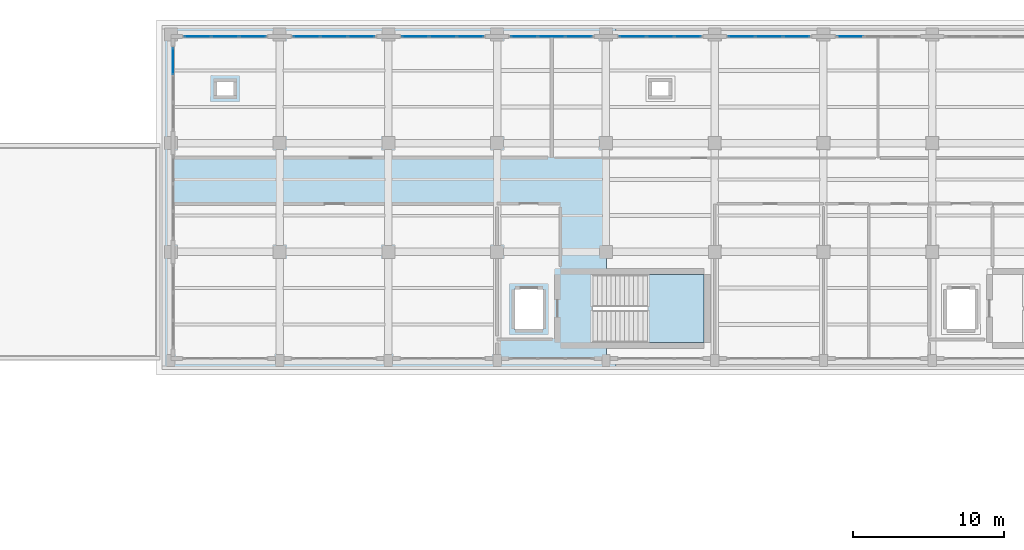
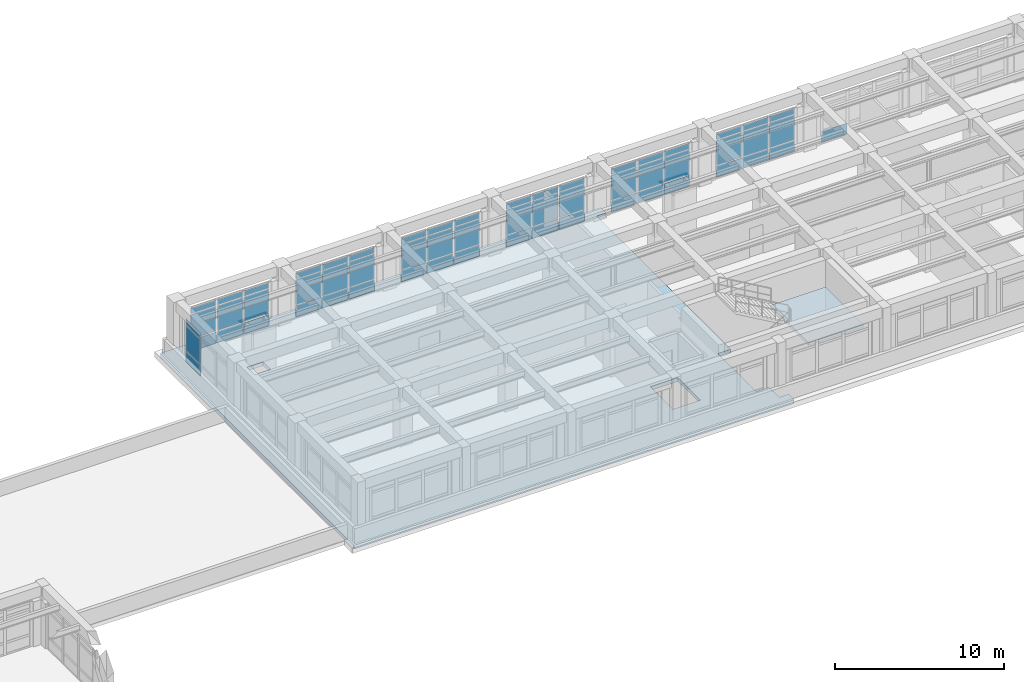
# One storey, part 43 of 69: 58 plates, 2 slabs, 9 elements without a shape of their own.
"""IFC4 building model written with IfcOpenShell, lengths in metres."""

from ifc_helpers import new_model, si_unit, direction, frame, origin, origin_2d, place, context, subcontext, project, spatial, polyline, rectangle, outline, extrude, material, layer, layer_set, type_object, element, aggregate, save


model = new_model("IFC4")

# Units and contexts
model_context = context("Model", 3, precision=1e-05, world=origin(), true_north=direction((0.0, 1.0)))
body_context = subcontext(model_context, "Body", "Model", "MODEL_VIEW")
ifc_project = project(units=[si_unit("LENGTHUNIT", "METRE"), si_unit("AREAUNIT", "SQUARE_METRE"), si_unit("VOLUMEUNIT", "CUBIC_METRE"), si_unit("PLANEANGLEUNIT", "RADIAN"), si_unit("MASSUNIT", "GRAM", prefix="KILO")], contexts=[model_context])

# Site, building, storey
site_placement = place(None, origin())
site = spatial("IfcSite", under=ifc_project, at=site_placement, CompositionType="ELEMENT")
building_placement = place(site_placement, origin())
building = spatial("IfcBuilding", under=site, at=building_placement, Name="Solenvale Faculty of Natural Sciences", CompositionType="ELEMENT")
storey_placement = place(building_placement, frame((0.0, 0.0, 4.5)))
storey = spatial("IfcBuildingStorey", under=building, at=storey_placement, Name="L01", CompositionType="ELEMENT", Elevation=4.5)

# Curtain wall, plates
ifc_material_1 = material(Name="Anodised bronze aluminium", Category="aluminium")
ifc_layer_1 = layer(ifc_material_1, 0.179931640625)
ifc_layer_set_1 = layer_set([ifc_layer_1], Name="Anodised bronze aluminium")
curtain_wall_type = type_object("IfcCurtainWallType", Name="CW-TWR-MOD", PredefinedType="USERDEFINED", material=ifc_layer_set_1)
curtain_wall_1_placement = place(storey_placement, origin())
curtain_wall_1 = element("IfcCurtainWall", 1, at=curtain_wall_1_placement, inside=storey, type_object=curtain_wall_type, Name="L01 Curtain Wall CW-L01-P2-E4-B10", ObjectType="UNITISED CURTAIN WALL", PredefinedType="USERDEFINED")
ifc_material_2 = material(Name="North-light skylight glass", Category="glass")
ifc_layer_2 = layer(ifc_material_2, 0.028076171875)
ifc_layer_set_2 = layer_set([ifc_layer_2], Name="North-light skylight glass")
plate_type_1 = type_object("IfcPlateType", Name="CWP-PNL-28", PredefinedType="CURTAIN_PANEL", material=ifc_layer_set_2)
plate_1_placement = place(storey_placement, frame((84.614501953125, 115.0576171875, 0.074951171875), z_axis=(0.0, 0.0, 1.0), x_axis=(-1.0, 0.0, 0.0)))
plate_1 = element("IfcPlate", 2, at=plate_1_placement, type_object=plate_type_1, Name="CW-04 panel 1.1", PredefinedType="CURTAIN_PANEL", context=body_context, shape_type="SweptSolid", body=[
    extrude(rectangle(XDim=1.720947265625, YDim=0.028076171875, at=origin_2d()), origin(), (0.0, 0.0, 1.0), 0.78759765625),
])
plate_2_placement = place(storey_placement, frame((84.614501953125, 115.0576171875, 0.9375), z_axis=(0.0, 0.0, 1.0), x_axis=(-1.0, 0.0, 0.0)))
plate_2 = element("IfcPlate", 3, at=plate_2_placement, type_object=plate_type_1, Name="CW-04 panel 1.2", PredefinedType="CURTAIN_PANEL", context=body_context, shape_type="SweptSolid", body=[
    extrude(rectangle(XDim=1.720947265625, YDim=0.028076171875, at=origin_2d()), origin(), (0.0, 0.0, 1.0), 1.784912109375),
])
plate_3_placement = place(storey_placement, frame((84.614501953125, 115.0576171875, 2.79736328125), z_axis=(0.0, 0.0, 1.0), x_axis=(-1.0, 0.0, 0.0)))
plate_3 = element("IfcPlate", 4, at=plate_3_placement, type_object=plate_type_1, Name="CW-04 panel 1.3", PredefinedType="CURTAIN_PANEL", context=body_context, shape_type="SweptSolid", body=[
    extrude(rectangle(XDim=1.720947265625, YDim=0.028076171875, at=origin_2d()), origin(), (0.0, 0.0, 1.0), 0.387451171875),
])
plate_4_placement = place(storey_placement, frame((82.800048828125, 115.0576171875, 0.074951171875), z_axis=(0.0, 0.0, 1.0), x_axis=(-1.0, 0.0, 0.0)))
plate_4 = element("IfcPlate", 5, at=plate_4_placement, type_object=plate_type_1, Name="CW-04 panel 2.1", PredefinedType="CURTAIN_PANEL", context=body_context, shape_type="SweptSolid", body=[
    extrude(rectangle(XDim=1.75830078125, YDim=0.028076171875, at=origin_2d()), origin(), (0.0, 0.0, 1.0), 0.78759765625),
])
plate_5_placement = place(storey_placement, frame((82.800048828125, 115.0576171875, 0.9375), z_axis=(0.0, 0.0, 1.0), x_axis=(-1.0, 0.0, 0.0)))
plate_5 = element("IfcPlate", 6, at=plate_5_placement, type_object=plate_type_1, Name="CW-04 panel 2.2", PredefinedType="CURTAIN_PANEL", context=body_context, shape_type="SweptSolid", body=[
    extrude(rectangle(XDim=1.75830078125, YDim=0.028076171875, at=origin_2d()), origin(), (0.0, 0.0, 1.0), 1.784912109375),
])
plate_6_placement = place(storey_placement, frame((82.800048828125, 115.0576171875, 2.79736328125), z_axis=(0.0, 0.0, 1.0), x_axis=(-1.0, 0.0, 0.0)))
plate_6 = element("IfcPlate", 7, at=plate_6_placement, type_object=plate_type_1, Name="CW-04 panel 2.3", PredefinedType="CURTAIN_PANEL", context=body_context, shape_type="SweptSolid", body=[
    extrude(rectangle(XDim=1.75830078125, YDim=0.028076171875, at=origin_2d()), origin(), (0.0, 0.0, 1.0), 0.387451171875),
])
plate_7_placement = place(storey_placement, frame((80.9853515625, 115.0576171875, 0.074951171875), z_axis=(0.0, 0.0, 1.0), x_axis=(-1.0, 0.0, 0.0)))
plate_7 = element("IfcPlate", 8, at=plate_7_placement, type_object=plate_type_1, Name="CW-04 panel 3.1", PredefinedType="CURTAIN_PANEL", context=body_context, shape_type="SweptSolid", body=[
    extrude(rectangle(XDim=1.720947265625, YDim=0.028076171875, at=origin_2d()), origin(), (0.0, 0.0, 1.0), 0.78759765625),
])
plate_8_placement = place(storey_placement, frame((80.9853515625, 115.0576171875, 0.9375), z_axis=(0.0, 0.0, 1.0), x_axis=(-1.0, 0.0, 0.0)))
plate_8 = element("IfcPlate", 9, at=plate_8_placement, type_object=plate_type_1, Name="CW-04 panel 3.2", PredefinedType="CURTAIN_PANEL", context=body_context, shape_type="SweptSolid", body=[
    extrude(rectangle(XDim=1.720947265625, YDim=0.028076171875, at=origin_2d()), origin(), (0.0, 0.0, 1.0), 1.784912109375),
])
plate_9_placement = place(storey_placement, frame((80.9853515625, 115.0576171875, 2.79736328125), z_axis=(0.0, 0.0, 1.0), x_axis=(-1.0, 0.0, 0.0)))
plate_9 = element("IfcPlate", 10, at=plate_9_placement, type_object=plate_type_1, Name="CW-04 panel 3.3", PredefinedType="CURTAIN_PANEL", context=body_context, shape_type="SweptSolid", body=[
    extrude(rectangle(XDim=1.720947265625, YDim=0.028076171875, at=origin_2d()), origin(), (0.0, 0.0, 1.0), 0.387451171875),
])
aggregate(curtain_wall_1, [plate_1, plate_2, plate_3, plate_4, plate_5, plate_6, plate_7, plate_8, plate_9])

curtain_wall_2_placement = place(storey_placement, origin())
curtain_wall_2 = element("IfcCurtainWall", 11, at=curtain_wall_2_placement, inside=storey, type_object=curtain_wall_type, Name="L01 Curtain Wall CW-L01-P2-E5-B1", ObjectType="UNITISED CURTAIN WALL", PredefinedType="USERDEFINED")
plate_10_placement = place(storey_placement, frame((79.342529296875, 113.41455078125, 0.074951171875), z_axis=(0.0, 0.0, 1.0), x_axis=(0.0, -1.0, 0.0)))
plate_10 = element("IfcPlate", 12, at=plate_10_placement, type_object=plate_type_1, Name="CW-04 panel 1.1", PredefinedType="CURTAIN_PANEL", context=body_context, shape_type="SweptSolid", body=[
    extrude(rectangle(XDim=1.720947265625, YDim=0.028076171875, at=origin_2d()), origin(), (0.0, 0.0, 1.0), 0.78759765625),
])
plate_11_placement = place(storey_placement, frame((79.342529296875, 113.41455078125, 0.9375), z_axis=(0.0, 0.0, 1.0), x_axis=(0.0, -1.0, 0.0)))
plate_11 = element("IfcPlate", 13, at=plate_11_placement, type_object=plate_type_1, Name="CW-04 panel 1.2", PredefinedType="CURTAIN_PANEL", context=body_context, shape_type="SweptSolid", body=[
    extrude(rectangle(XDim=1.720947265625, YDim=0.028076171875, at=origin_2d()), origin(), (0.0, 0.0, 1.0), 1.784912109375),
])
plate_12_placement = place(storey_placement, frame((79.342529296875, 113.41455078125, 2.79736328125), z_axis=(0.0, 0.0, 1.0), x_axis=(0.0, -1.0, 0.0)))
plate_12 = element("IfcPlate", 14, at=plate_12_placement, type_object=plate_type_1, Name="CW-04 panel 1.3", PredefinedType="CURTAIN_PANEL", context=body_context, shape_type="SweptSolid", body=[
    extrude(rectangle(XDim=1.720947265625, YDim=0.028076171875, at=origin_2d()), origin(), (0.0, 0.0, 1.0), 0.387451171875),
])
aggregate(curtain_wall_2, [plate_10, plate_11, plate_12])

# Curtain wall, plate
curtain_wall_3_placement = place(storey_placement, origin())
curtain_wall_3 = element("IfcCurtainWall", 15, at=curtain_wall_3_placement, inside=storey, type_object=curtain_wall_type, Name="L01 Curtain Wall CW-L01-P2-E4-B4", ObjectType="UNITISED CURTAIN WALL", PredefinedType="USERDEFINED")
ifc_material_3 = material(Name="Triple low-E insulated glass", Category="glass")
ifc_layer_3 = layer(ifc_material_3, 0.035888671875)
ifc_layer_set_3 = layer_set([ifc_layer_3], Name="Triple low-E insulated glass")
plate_type_2 = type_object("IfcPlateType", Name="CWP-PNL-36", PredefinedType="CURTAIN_PANEL", material=ifc_layer_set_3)
plate_13_placement = place(storey_placement, frame((124.185302734375, 115.0576171875, 0.074951171875), z_axis=(0.0, 0.0, 1.0), x_axis=(-1.0, 0.0, 0.0)))
plate_13 = element("IfcPlate", 16, at=plate_13_placement, type_object=plate_type_2, Name="CW-04 panel 3.1", PredefinedType="CURTAIN_PANEL", context=body_context, shape_type="SweptSolid", body=[
    extrude(rectangle(XDim=1.720947265625, YDim=0.035888671875, at=origin_2d()), origin(), (0.0, 0.0, 1.0), 0.78759765625),
])
aggregate(curtain_wall_3, [plate_13])

# Curtain wall, plates
curtain_wall_4_placement = place(storey_placement, origin())
curtain_wall_4 = element("IfcCurtainWall", 17, at=curtain_wall_4_placement, inside=storey, type_object=curtain_wall_type, Name="L01 Curtain Wall CW-L01-P2-E4-B5", ObjectType="UNITISED CURTAIN WALL", PredefinedType="USERDEFINED")
ifc_layer_4 = layer(ifc_material_3, 0.0400390625)
ifc_layer_set_4 = layer_set([ifc_layer_4], Name="Triple low-E insulated glass")
plate_type_3 = type_object("IfcPlateType", Name="CWP-PNL-40", PredefinedType="CURTAIN_PANEL", material=ifc_layer_set_4)
plate_14_placement = place(storey_placement, frame((120.614501953125, 115.0576171875, 0.074951171875), z_axis=(0.0, 0.0, 1.0), x_axis=(-1.0, 0.0, 0.0)))
plate_14 = element("IfcPlate", 18, at=plate_14_placement, type_object=plate_type_3, Name="CW-04 panel 1.1", PredefinedType="CURTAIN_PANEL", context=body_context, shape_type="SweptSolid", body=[
    extrude(rectangle(XDim=1.720947265625, YDim=0.0400390625, at=origin_2d()), origin(), (0.0, 0.0, 1.0), 0.78759765625),
])
plate_15_placement = place(storey_placement, frame((120.614501953125, 115.0576171875, 0.9375), z_axis=(0.0, 0.0, 1.0), x_axis=(-1.0, 0.0, 0.0)))
plate_15 = element("IfcPlate", 19, at=plate_15_placement, type_object=plate_type_3, Name="CW-04 panel 1.2", PredefinedType="CURTAIN_PANEL", context=body_context, shape_type="SweptSolid", body=[
    extrude(rectangle(XDim=1.720947265625, YDim=0.0400390625, at=origin_2d()), origin(), (0.0, 0.0, 1.0), 1.784912109375),
])
plate_16_placement = place(storey_placement, frame((120.614501953125, 115.0576171875, 2.79736328125), z_axis=(0.0, 0.0, 1.0), x_axis=(-1.0, 0.0, 0.0)))
plate_16 = element("IfcPlate", 20, at=plate_16_placement, type_object=plate_type_3, Name="CW-04 panel 1.3", PredefinedType="CURTAIN_PANEL", context=body_context, shape_type="SweptSolid", body=[
    extrude(rectangle(XDim=1.720947265625, YDim=0.0400390625, at=origin_2d()), origin(), (0.0, 0.0, 1.0), 0.387451171875),
])
plate_17_placement = place(storey_placement, frame((118.800048828125, 115.0576171875, 0.074951171875), z_axis=(0.0, 0.0, 1.0), x_axis=(-1.0, 0.0, 0.0)))
plate_17 = element("IfcPlate", 21, at=plate_17_placement, type_object=plate_type_3, Name="CW-04 panel 2.1", PredefinedType="CURTAIN_PANEL", context=body_context, shape_type="SweptSolid", body=[
    extrude(rectangle(XDim=1.75830078125, YDim=0.0400390625, at=origin_2d()), origin(), (0.0, 0.0, 1.0), 0.78759765625),
])
plate_18_placement = place(storey_placement, frame((118.800048828125, 115.0576171875, 0.9375), z_axis=(0.0, 0.0, 1.0), x_axis=(-1.0, 0.0, 0.0)))
plate_18 = element("IfcPlate", 22, at=plate_18_placement, type_object=plate_type_3, Name="CW-04 panel 2.2", PredefinedType="CURTAIN_PANEL", context=body_context, shape_type="SweptSolid", body=[
    extrude(rectangle(XDim=1.75830078125, YDim=0.0400390625, at=origin_2d()), origin(), (0.0, 0.0, 1.0), 1.784912109375),
])
plate_19_placement = place(storey_placement, frame((118.800048828125, 115.0576171875, 2.79736328125), z_axis=(0.0, 0.0, 1.0), x_axis=(-1.0, 0.0, 0.0)))
plate_19 = element("IfcPlate", 23, at=plate_19_placement, type_object=plate_type_3, Name="CW-04 panel 2.3", PredefinedType="CURTAIN_PANEL", context=body_context, shape_type="SweptSolid", body=[
    extrude(rectangle(XDim=1.75830078125, YDim=0.0400390625, at=origin_2d()), origin(), (0.0, 0.0, 1.0), 0.387451171875),
])
plate_20_placement = place(storey_placement, frame((116.9853515625, 115.0576171875, 0.074951171875), z_axis=(0.0, 0.0, 1.0), x_axis=(-1.0, 0.0, 0.0)))
plate_20 = element("IfcPlate", 24, at=plate_20_placement, type_object=plate_type_3, Name="CW-04 panel 3.1", PredefinedType="CURTAIN_PANEL", context=body_context, shape_type="SweptSolid", body=[
    extrude(rectangle(XDim=1.720947265625, YDim=0.0400390625, at=origin_2d()), origin(), (0.0, 0.0, 1.0), 0.78759765625),
])
plate_21_placement = place(storey_placement, frame((116.9853515625, 115.0576171875, 0.9375), z_axis=(0.0, 0.0, 1.0), x_axis=(-1.0, 0.0, 0.0)))
plate_21 = element("IfcPlate", 25, at=plate_21_placement, type_object=plate_type_3, Name="CW-04 panel 3.2", PredefinedType="CURTAIN_PANEL", context=body_context, shape_type="SweptSolid", body=[
    extrude(rectangle(XDim=1.720947265625, YDim=0.0400390625, at=origin_2d()), origin(), (0.0, 0.0, 1.0), 1.784912109375),
])
plate_22_placement = place(storey_placement, frame((116.9853515625, 115.0576171875, 2.79736328125), z_axis=(0.0, 0.0, 1.0), x_axis=(-1.0, 0.0, 0.0)))
plate_22 = element("IfcPlate", 26, at=plate_22_placement, type_object=plate_type_3, Name="CW-04 panel 3.3", PredefinedType="CURTAIN_PANEL", context=body_context, shape_type="SweptSolid", body=[
    extrude(rectangle(XDim=1.720947265625, YDim=0.0400390625, at=origin_2d()), origin(), (0.0, 0.0, 1.0), 0.387451171875),
])
aggregate(curtain_wall_4, [plate_14, plate_15, plate_16, plate_17, plate_18, plate_19, plate_20, plate_21, plate_22])

curtain_wall_5_placement = place(storey_placement, origin())
curtain_wall_5 = element("IfcCurtainWall", 27, at=curtain_wall_5_placement, inside=storey, type_object=curtain_wall_type, Name="L01 Curtain Wall CW-L01-P2-E4-B6", ObjectType="UNITISED CURTAIN WALL", PredefinedType="USERDEFINED")
ifc_layer_5 = layer(ifc_material_3, 0.0439453125)
ifc_layer_set_5 = layer_set([ifc_layer_5], Name="Triple low-E insulated glass")
plate_type_4 = type_object("IfcPlateType", Name="CWP-PNL-44", PredefinedType="CURTAIN_PANEL", material=ifc_layer_set_5)
plate_23_placement = place(storey_placement, frame((113.41455078125, 115.0576171875, 0.074951171875), z_axis=(0.0, 0.0, 1.0), x_axis=(-1.0, 0.0, 0.0)))
plate_23 = element("IfcPlate", 28, at=plate_23_placement, type_object=plate_type_4, Name="CW-04 panel 1.1", PredefinedType="CURTAIN_PANEL", context=body_context, shape_type="SweptSolid", body=[
    extrude(rectangle(XDim=1.720947265625, YDim=0.0439453125, at=origin_2d()), origin(), (0.0, 0.0, 1.0), 0.78759765625),
])
plate_24_placement = place(storey_placement, frame((113.41455078125, 115.0576171875, 0.9375), z_axis=(0.0, 0.0, 1.0), x_axis=(-1.0, 0.0, 0.0)))
plate_24 = element("IfcPlate", 29, at=plate_24_placement, type_object=plate_type_4, Name="CW-04 panel 1.2", PredefinedType="CURTAIN_PANEL", context=body_context, shape_type="SweptSolid", body=[
    extrude(rectangle(XDim=1.720947265625, YDim=0.0439453125, at=origin_2d()), origin(), (0.0, 0.0, 1.0), 1.784912109375),
])
plate_25_placement = place(storey_placement, frame((113.41455078125, 115.0576171875, 2.79736328125), z_axis=(0.0, 0.0, 1.0), x_axis=(-1.0, 0.0, 0.0)))
plate_25 = element("IfcPlate", 30, at=plate_25_placement, type_object=plate_type_4, Name="CW-04 panel 1.3", PredefinedType="CURTAIN_PANEL", context=body_context, shape_type="SweptSolid", body=[
    extrude(rectangle(XDim=1.720947265625, YDim=0.0439453125, at=origin_2d()), origin(), (0.0, 0.0, 1.0), 0.387451171875),
])
plate_26_placement = place(storey_placement, frame((111.60009765625, 115.0576171875, 0.074951171875), z_axis=(0.0, 0.0, 1.0), x_axis=(-1.0, 0.0, 0.0)))
plate_26 = element("IfcPlate", 31, at=plate_26_placement, type_object=plate_type_4, Name="CW-04 panel 2.1", PredefinedType="CURTAIN_PANEL", context=body_context, shape_type="SweptSolid", body=[
    extrude(rectangle(XDim=1.75830078125, YDim=0.0439453125, at=origin_2d()), origin(), (0.0, 0.0, 1.0), 0.78759765625),
])
plate_27_placement = place(storey_placement, frame((111.60009765625, 115.0576171875, 0.9375), z_axis=(0.0, 0.0, 1.0), x_axis=(-1.0, 0.0, 0.0)))
plate_27 = element("IfcPlate", 32, at=plate_27_placement, type_object=plate_type_4, Name="CW-04 panel 2.2", PredefinedType="CURTAIN_PANEL", context=body_context, shape_type="SweptSolid", body=[
    extrude(rectangle(XDim=1.75830078125, YDim=0.0439453125, at=origin_2d()), origin(), (0.0, 0.0, 1.0), 1.784912109375),
])
plate_28_placement = place(storey_placement, frame((111.60009765625, 115.0576171875, 2.79736328125), z_axis=(0.0, 0.0, 1.0), x_axis=(-1.0, 0.0, 0.0)))
plate_28 = element("IfcPlate", 33, at=plate_28_placement, type_object=plate_type_4, Name="CW-04 panel 2.3", PredefinedType="CURTAIN_PANEL", context=body_context, shape_type="SweptSolid", body=[
    extrude(rectangle(XDim=1.75830078125, YDim=0.0439453125, at=origin_2d()), origin(), (0.0, 0.0, 1.0), 0.387451171875),
])
plate_29_placement = place(storey_placement, frame((109.785400390625, 115.0576171875, 0.074951171875), z_axis=(0.0, 0.0, 1.0), x_axis=(-1.0, 0.0, 0.0)))
plate_29 = element("IfcPlate", 34, at=plate_29_placement, type_object=plate_type_4, Name="CW-04 panel 3.1", PredefinedType="CURTAIN_PANEL", context=body_context, shape_type="SweptSolid", body=[
    extrude(rectangle(XDim=1.720947265625, YDim=0.0439453125, at=origin_2d()), origin(), (0.0, 0.0, 1.0), 0.78759765625),
])
plate_30_placement = place(storey_placement, frame((109.785400390625, 115.0576171875, 0.9375), z_axis=(0.0, 0.0, 1.0), x_axis=(-1.0, 0.0, 0.0)))
plate_30 = element("IfcPlate", 35, at=plate_30_placement, type_object=plate_type_4, Name="CW-04 panel 3.2", PredefinedType="CURTAIN_PANEL", context=body_context, shape_type="SweptSolid", body=[
    extrude(rectangle(XDim=1.720947265625, YDim=0.0439453125, at=origin_2d()), origin(), (0.0, 0.0, 1.0), 1.784912109375),
])
plate_31_placement = place(storey_placement, frame((109.785400390625, 115.0576171875, 2.79736328125), z_axis=(0.0, 0.0, 1.0), x_axis=(-1.0, 0.0, 0.0)))
plate_31 = element("IfcPlate", 36, at=plate_31_placement, type_object=plate_type_4, Name="CW-04 panel 3.3", PredefinedType="CURTAIN_PANEL", context=body_context, shape_type="SweptSolid", body=[
    extrude(rectangle(XDim=1.720947265625, YDim=0.0439453125, at=origin_2d()), origin(), (0.0, 0.0, 1.0), 0.387451171875),
])
aggregate(curtain_wall_5, [plate_23, plate_24, plate_25, plate_26, plate_27, plate_28, plate_29, plate_30, plate_31])

curtain_wall_6_placement = place(storey_placement, origin())
curtain_wall_6 = element("IfcCurtainWall", 37, at=curtain_wall_6_placement, inside=storey, type_object=curtain_wall_type, Name="L01 Curtain Wall CW-L01-P2-E4-B7", ObjectType="UNITISED CURTAIN WALL", PredefinedType="USERDEFINED")
ifc_layer_6 = layer(ifc_material_1, 0.048095703125)
ifc_layer_set_6 = layer_set([ifc_layer_6], Name="Anodised bronze aluminium")
plate_type_5 = type_object("IfcPlateType", Name="CWP-PNL-48", PredefinedType="CURTAIN_PANEL", material=ifc_layer_set_6)
plate_32_placement = place(storey_placement, frame((106.214599609375, 115.0576171875, 0.074951171875), z_axis=(0.0, 0.0, 1.0), x_axis=(-1.0, 0.0, 0.0)))
plate_32 = element("IfcPlate", 38, at=plate_32_placement, type_object=plate_type_5, Name="CW-04 panel 1.1", PredefinedType="CURTAIN_PANEL", context=body_context, shape_type="SweptSolid", body=[
    extrude(rectangle(XDim=1.720947265625, YDim=0.048095703125, at=origin_2d()), origin(), (0.0, 0.0, 1.0), 0.78759765625),
])
plate_33_placement = place(storey_placement, frame((106.214599609375, 115.0576171875, 0.9375), z_axis=(0.0, 0.0, 1.0), x_axis=(-1.0, 0.0, 0.0)))
plate_33 = element("IfcPlate", 39, at=plate_33_placement, type_object=plate_type_5, Name="CW-04 panel 1.2", PredefinedType="CURTAIN_PANEL", context=body_context, shape_type="SweptSolid", body=[
    extrude(rectangle(XDim=1.720947265625, YDim=0.048095703125, at=origin_2d()), origin(), (0.0, 0.0, 1.0), 1.784912109375),
])
plate_34_placement = place(storey_placement, frame((106.214599609375, 115.0576171875, 2.79736328125), z_axis=(0.0, 0.0, 1.0), x_axis=(-1.0, 0.0, 0.0)))
plate_34 = element("IfcPlate", 40, at=plate_34_placement, type_object=plate_type_5, Name="CW-04 panel 1.3", PredefinedType="CURTAIN_PANEL", context=body_context, shape_type="SweptSolid", body=[
    extrude(rectangle(XDim=1.720947265625, YDim=0.048095703125, at=origin_2d()), origin(), (0.0, 0.0, 1.0), 0.387451171875),
])
plate_35_placement = place(storey_placement, frame((104.39990234375, 115.0576171875, 0.074951171875), z_axis=(0.0, 0.0, 1.0), x_axis=(-1.0, 0.0, 0.0)))
plate_35 = element("IfcPlate", 41, at=plate_35_placement, type_object=plate_type_5, Name="CW-04 panel 2.1", PredefinedType="CURTAIN_PANEL", context=body_context, shape_type="SweptSolid", body=[
    extrude(rectangle(XDim=1.75830078125, YDim=0.048095703125, at=origin_2d()), origin(), (0.0, 0.0, 1.0), 0.78759765625),
])
plate_36_placement = place(storey_placement, frame((104.39990234375, 115.0576171875, 0.9375), z_axis=(0.0, 0.0, 1.0), x_axis=(-1.0, 0.0, 0.0)))
plate_36 = element("IfcPlate", 42, at=plate_36_placement, type_object=plate_type_5, Name="CW-04 panel 2.2", PredefinedType="CURTAIN_PANEL", context=body_context, shape_type="SweptSolid", body=[
    extrude(rectangle(XDim=1.75830078125, YDim=0.048095703125, at=origin_2d()), origin(), (0.0, 0.0, 1.0), 1.784912109375),
])
plate_37_placement = place(storey_placement, frame((104.39990234375, 115.0576171875, 2.79736328125), z_axis=(0.0, 0.0, 1.0), x_axis=(-1.0, 0.0, 0.0)))
plate_37 = element("IfcPlate", 43, at=plate_37_placement, type_object=plate_type_5, Name="CW-04 panel 2.3", PredefinedType="CURTAIN_PANEL", context=body_context, shape_type="SweptSolid", body=[
    extrude(rectangle(XDim=1.75830078125, YDim=0.048095703125, at=origin_2d()), origin(), (0.0, 0.0, 1.0), 0.387451171875),
])
plate_38_placement = place(storey_placement, frame((102.58544921875, 115.0576171875, 0.074951171875), z_axis=(0.0, 0.0, 1.0), x_axis=(-1.0, 0.0, 0.0)))
plate_38 = element("IfcPlate", 44, at=plate_38_placement, type_object=plate_type_5, Name="CW-04 panel 3.1", PredefinedType="CURTAIN_PANEL", context=body_context, shape_type="SweptSolid", body=[
    extrude(rectangle(XDim=1.720947265625, YDim=0.048095703125, at=origin_2d()), origin(), (0.0, 0.0, 1.0), 0.78759765625),
])
plate_39_placement = place(storey_placement, frame((102.58544921875, 115.0576171875, 0.9375), z_axis=(0.0, 0.0, 1.0), x_axis=(-1.0, 0.0, 0.0)))
plate_39 = element("IfcPlate", 45, at=plate_39_placement, type_object=plate_type_5, Name="CW-04 panel 3.2", PredefinedType="CURTAIN_PANEL", context=body_context, shape_type="SweptSolid", body=[
    extrude(rectangle(XDim=1.720947265625, YDim=0.048095703125, at=origin_2d()), origin(), (0.0, 0.0, 1.0), 1.784912109375),
])
plate_40_placement = place(storey_placement, frame((102.58544921875, 115.0576171875, 2.79736328125), z_axis=(0.0, 0.0, 1.0), x_axis=(-1.0, 0.0, 0.0)))
plate_40 = element("IfcPlate", 46, at=plate_40_placement, type_object=plate_type_5, Name="CW-04 panel 3.3", PredefinedType="CURTAIN_PANEL", context=body_context, shape_type="SweptSolid", body=[
    extrude(rectangle(XDim=1.720947265625, YDim=0.048095703125, at=origin_2d()), origin(), (0.0, 0.0, 1.0), 0.387451171875),
])
aggregate(curtain_wall_6, [plate_32, plate_33, plate_34, plate_35, plate_36, plate_37, plate_38, plate_39, plate_40])

curtain_wall_7_placement = place(storey_placement, origin())
curtain_wall_7 = element("IfcCurtainWall", 47, at=curtain_wall_7_placement, inside=storey, type_object=curtain_wall_type, Name="L01 Curtain Wall CW-L01-P2-E4-B8", ObjectType="UNITISED CURTAIN WALL", PredefinedType="USERDEFINED")
ifc_layer_7 = layer(ifc_material_1, 0.053955078125)
ifc_layer_set_7 = layer_set([ifc_layer_7], Name="Anodised bronze aluminium")
plate_type_6 = type_object("IfcPlateType", Name="CWP-PNL-54", PredefinedType="CURTAIN_PANEL", material=ifc_layer_set_7)
plate_41_placement = place(storey_placement, frame((99.0146484375, 115.0576171875, 0.074951171875), z_axis=(0.0, 0.0, 1.0), x_axis=(-1.0, 0.0, 0.0)))
plate_41 = element("IfcPlate", 48, at=plate_41_placement, type_object=plate_type_6, Name="CW-04 panel 1.1", PredefinedType="CURTAIN_PANEL", context=body_context, shape_type="SweptSolid", body=[
    extrude(rectangle(XDim=1.720947265625, YDim=0.053955078125, at=origin_2d()), origin(), (0.0, 0.0, 1.0), 0.78759765625),
])
plate_42_placement = place(storey_placement, frame((99.0146484375, 115.0576171875, 0.9375), z_axis=(0.0, 0.0, 1.0), x_axis=(-1.0, 0.0, 0.0)))
plate_42 = element("IfcPlate", 49, at=plate_42_placement, type_object=plate_type_6, Name="CW-04 panel 1.2", PredefinedType="CURTAIN_PANEL", context=body_context, shape_type="SweptSolid", body=[
    extrude(rectangle(XDim=1.720947265625, YDim=0.053955078125, at=origin_2d()), origin(), (0.0, 0.0, 1.0), 1.784912109375),
])
plate_43_placement = place(storey_placement, frame((99.0146484375, 115.0576171875, 2.79736328125), z_axis=(0.0, 0.0, 1.0), x_axis=(-1.0, 0.0, 0.0)))
plate_43 = element("IfcPlate", 50, at=plate_43_placement, type_object=plate_type_6, Name="CW-04 panel 1.3", PredefinedType="CURTAIN_PANEL", context=body_context, shape_type="SweptSolid", body=[
    extrude(rectangle(XDim=1.720947265625, YDim=0.053955078125, at=origin_2d()), origin(), (0.0, 0.0, 1.0), 0.387451171875),
])
plate_44_placement = place(storey_placement, frame((97.199951171875, 115.0576171875, 0.074951171875), z_axis=(0.0, 0.0, 1.0), x_axis=(-1.0, 0.0, 0.0)))
plate_44 = element("IfcPlate", 51, at=plate_44_placement, type_object=plate_type_6, Name="CW-04 panel 2.1", PredefinedType="CURTAIN_PANEL", context=body_context, shape_type="SweptSolid", body=[
    extrude(rectangle(XDim=1.75830078125, YDim=0.053955078125, at=origin_2d()), origin(), (0.0, 0.0, 1.0), 0.78759765625),
])
plate_45_placement = place(storey_placement, frame((97.199951171875, 115.0576171875, 0.9375), z_axis=(0.0, 0.0, 1.0), x_axis=(-1.0, 0.0, 0.0)))
plate_45 = element("IfcPlate", 52, at=plate_45_placement, type_object=plate_type_6, Name="CW-04 panel 2.2", PredefinedType="CURTAIN_PANEL", context=body_context, shape_type="SweptSolid", body=[
    extrude(rectangle(XDim=1.75830078125, YDim=0.053955078125, at=origin_2d()), origin(), (0.0, 0.0, 1.0), 1.784912109375),
])
plate_46_placement = place(storey_placement, frame((97.199951171875, 115.0576171875, 2.79736328125), z_axis=(0.0, 0.0, 1.0), x_axis=(-1.0, 0.0, 0.0)))
plate_46 = element("IfcPlate", 53, at=plate_46_placement, type_object=plate_type_6, Name="CW-04 panel 2.3", PredefinedType="CURTAIN_PANEL", context=body_context, shape_type="SweptSolid", body=[
    extrude(rectangle(XDim=1.75830078125, YDim=0.053955078125, at=origin_2d()), origin(), (0.0, 0.0, 1.0), 0.387451171875),
])
plate_47_placement = place(storey_placement, frame((95.385498046875, 115.0576171875, 0.074951171875), z_axis=(0.0, 0.0, 1.0), x_axis=(-1.0, 0.0, 0.0)))
plate_47 = element("IfcPlate", 54, at=plate_47_placement, type_object=plate_type_6, Name="CW-04 panel 3.1", PredefinedType="CURTAIN_PANEL", context=body_context, shape_type="SweptSolid", body=[
    extrude(rectangle(XDim=1.720947265625, YDim=0.053955078125, at=origin_2d()), origin(), (0.0, 0.0, 1.0), 0.78759765625),
])
plate_48_placement = place(storey_placement, frame((95.385498046875, 115.0576171875, 0.9375), z_axis=(0.0, 0.0, 1.0), x_axis=(-1.0, 0.0, 0.0)))
plate_48 = element("IfcPlate", 55, at=plate_48_placement, type_object=plate_type_6, Name="CW-04 panel 3.2", PredefinedType="CURTAIN_PANEL", context=body_context, shape_type="SweptSolid", body=[
    extrude(rectangle(XDim=1.720947265625, YDim=0.053955078125, at=origin_2d()), origin(), (0.0, 0.0, 1.0), 1.784912109375),
])
plate_49_placement = place(storey_placement, frame((95.385498046875, 115.0576171875, 2.79736328125), z_axis=(0.0, 0.0, 1.0), x_axis=(-1.0, 0.0, 0.0)))
plate_49 = element("IfcPlate", 56, at=plate_49_placement, type_object=plate_type_6, Name="CW-04 panel 3.3", PredefinedType="CURTAIN_PANEL", context=body_context, shape_type="SweptSolid", body=[
    extrude(rectangle(XDim=1.720947265625, YDim=0.053955078125, at=origin_2d()), origin(), (0.0, 0.0, 1.0), 0.387451171875),
])
aggregate(curtain_wall_7, [plate_41, plate_42, plate_43, plate_44, plate_45, plate_46, plate_47, plate_48, plate_49])

curtain_wall_8_placement = place(storey_placement, origin())
curtain_wall_8 = element("IfcCurtainWall", 57, at=curtain_wall_8_placement, inside=storey, type_object=curtain_wall_type, Name="L01 Curtain Wall CW-L01-P2-E4-B9", ObjectType="UNITISED CURTAIN WALL", PredefinedType="USERDEFINED")
ifc_layer_8 = layer(ifc_material_1, 0.06005859375)
ifc_layer_set_8 = layer_set([ifc_layer_8], Name="Anodised bronze aluminium")
plate_type_7 = type_object("IfcPlateType", Name="CWP-PNL-60", PredefinedType="CURTAIN_PANEL", material=ifc_layer_set_8)
plate_50_placement = place(storey_placement, frame((91.814697265625, 115.0576171875, 0.074951171875), z_axis=(0.0, 0.0, 1.0), x_axis=(-1.0, 0.0, 0.0)))
plate_50 = element("IfcPlate", 58, at=plate_50_placement, type_object=plate_type_7, Name="CW-04 panel 1.1", PredefinedType="CURTAIN_PANEL", context=body_context, shape_type="SweptSolid", body=[
    extrude(rectangle(XDim=1.720947265625, YDim=0.06005859375, at=origin_2d()), origin(), (0.0, 0.0, 1.0), 0.78759765625),
])
plate_51_placement = place(storey_placement, frame((91.814697265625, 115.0576171875, 0.9375), z_axis=(0.0, 0.0, 1.0), x_axis=(-1.0, 0.0, 0.0)))
plate_51 = element("IfcPlate", 59, at=plate_51_placement, type_object=plate_type_7, Name="CW-04 panel 1.2", PredefinedType="CURTAIN_PANEL", context=body_context, shape_type="SweptSolid", body=[
    extrude(rectangle(XDim=1.720947265625, YDim=0.06005859375, at=origin_2d()), origin(), (0.0, 0.0, 1.0), 1.784912109375),
])
plate_52_placement = place(storey_placement, frame((91.814697265625, 115.0576171875, 2.79736328125), z_axis=(0.0, 0.0, 1.0), x_axis=(-1.0, 0.0, 0.0)))
plate_52 = element("IfcPlate", 60, at=plate_52_placement, type_object=plate_type_7, Name="CW-04 panel 1.3", PredefinedType="CURTAIN_PANEL", context=body_context, shape_type="SweptSolid", body=[
    extrude(rectangle(XDim=1.720947265625, YDim=0.06005859375, at=origin_2d()), origin(), (0.0, 0.0, 1.0), 0.387451171875),
])
plate_53_placement = place(storey_placement, frame((90.0, 115.0576171875, 0.074951171875), z_axis=(0.0, 0.0, 1.0), x_axis=(-1.0, 0.0, 0.0)))
plate_53 = element("IfcPlate", 61, at=plate_53_placement, type_object=plate_type_7, Name="CW-04 panel 2.1", PredefinedType="CURTAIN_PANEL", context=body_context, shape_type="SweptSolid", body=[
    extrude(rectangle(XDim=1.75830078125, YDim=0.06005859375, at=origin_2d()), origin(), (0.0, 0.0, 1.0), 0.78759765625),
])
plate_54_placement = place(storey_placement, frame((90.0, 115.0576171875, 0.9375), z_axis=(0.0, 0.0, 1.0), x_axis=(-1.0, 0.0, 0.0)))
plate_54 = element("IfcPlate", 62, at=plate_54_placement, type_object=plate_type_7, Name="CW-04 panel 2.2", PredefinedType="CURTAIN_PANEL", context=body_context, shape_type="SweptSolid", body=[
    extrude(rectangle(XDim=1.75830078125, YDim=0.06005859375, at=origin_2d()), origin(), (0.0, 0.0, 1.0), 1.784912109375),
])
plate_55_placement = place(storey_placement, frame((90.0, 115.0576171875, 2.79736328125), z_axis=(0.0, 0.0, 1.0), x_axis=(-1.0, 0.0, 0.0)))
plate_55 = element("IfcPlate", 63, at=plate_55_placement, type_object=plate_type_7, Name="CW-04 panel 2.3", PredefinedType="CURTAIN_PANEL", context=body_context, shape_type="SweptSolid", body=[
    extrude(rectangle(XDim=1.75830078125, YDim=0.06005859375, at=origin_2d()), origin(), (0.0, 0.0, 1.0), 0.387451171875),
])
plate_56_placement = place(storey_placement, frame((88.185302734375, 115.0576171875, 0.074951171875), z_axis=(0.0, 0.0, 1.0), x_axis=(-1.0, 0.0, 0.0)))
plate_56 = element("IfcPlate", 64, at=plate_56_placement, type_object=plate_type_7, Name="CW-04 panel 3.1", PredefinedType="CURTAIN_PANEL", context=body_context, shape_type="SweptSolid", body=[
    extrude(rectangle(XDim=1.720947265625, YDim=0.06005859375, at=origin_2d()), origin(), (0.0, 0.0, 1.0), 0.78759765625),
])
plate_57_placement = place(storey_placement, frame((88.185302734375, 115.0576171875, 0.9375), z_axis=(0.0, 0.0, 1.0), x_axis=(-1.0, 0.0, 0.0)))
plate_57 = element("IfcPlate", 65, at=plate_57_placement, type_object=plate_type_7, Name="CW-04 panel 3.2", PredefinedType="CURTAIN_PANEL", context=body_context, shape_type="SweptSolid", body=[
    extrude(rectangle(XDim=1.720947265625, YDim=0.06005859375, at=origin_2d()), origin(), (0.0, 0.0, 1.0), 1.784912109375),
])
plate_58_placement = place(storey_placement, frame((88.185302734375, 115.0576171875, 2.79736328125), z_axis=(0.0, 0.0, 1.0), x_axis=(-1.0, 0.0, 0.0)))
plate_58 = element("IfcPlate", 66, at=plate_58_placement, type_object=plate_type_7, Name="CW-04 panel 3.3", PredefinedType="CURTAIN_PANEL", context=body_context, shape_type="SweptSolid", body=[
    extrude(rectangle(XDim=1.720947265625, YDim=0.06005859375, at=origin_2d()), origin(), (0.0, 0.0, 1.0), 0.387451171875),
])
aggregate(curtain_wall_8, [plate_50, plate_51, plate_52, plate_53, plate_54, plate_55, plate_56, plate_57, plate_58])

# Slab
ifc_material_4 = material(Name="Concrete 40 MPa", Category="concrete")
ifc_layer_9 = layer(ifc_material_4, 0.280029296875)
ifc_layer_set_9 = layer_set([ifc_layer_9], Name="Concrete 40 MPa")
slab_type_1 = type_object("IfcSlabType", Name="SL-FLR-280", PredefinedType="FLOOR", material=ifc_layer_set_9)
slab_1_placement = place(storey_placement, frame((0.0, 0.0, -0.280029296875)))
element("IfcSlab", 67, at=slab_1_placement, inside=storey, type_object=slab_type_1, Name="L01 V5 Floor Slab 1.1", PredefinedType="FLOOR", context=body_context, shape_type="SweptSolid", body=[
    extrude(outline(polyline([(107.139892578125, 94.800048828125), (108.0048828125, 94.800048828125), (108.0244140625, 94.791015625), (108.030029296875, 94.77490234375), (108.031005859375, 93.593505859375), (108.0498046875, 93.580078125), (108.655029296875, 93.580078125), (108.672607421875, 93.57275390625), (108.679931640625, 93.554931640625), (108.679931640625, 92.945068359375), (108.6708984375, 92.92578125), (108.655029296875, 92.919921875), (78.531005859375, 92.92431640625), (78.52001953125, 92.945068359375), (78.524169921875, 115.868896484375), (78.544921875, 115.8798828125), (108.6689453125, 115.875732421875), (108.679931640625, 115.85498046875), (108.679931640625, 115.2451171875), (108.672607421875, 115.227294921875), (108.655029296875, 115.219970703125), (108.0498046875, 115.219970703125), (108.036376953125, 115.214599609375), (108.030029296875, 115.201416015625), (108.030029296875, 99.324951171875), (108.022705078125, 99.307373046875), (108.0048828125, 99.300048828125), (107.139892578125, 99.300048828125), (107.139892578125, 94.800048828125)]), holes=[polyline([(101.9599609375, 95.659912109375), (103.840087890625, 95.659912109375), (103.840087890625, 98.340087890625), (101.9599609375, 98.340087890625), (101.9599609375, 95.659912109375)]), polyline([(82.25, 111.14990234375), (83.35009765625, 111.14990234375), (83.35009765625, 112.050048828125), (82.25, 112.050048828125), (82.25, 111.14990234375)])]), origin(), (0.0, 0.0, 1.0), 0.280029296875),
])

# Stair, slab
stair_type = type_object("IfcStairType", Name="STR-CORE-25R", PredefinedType="DOUBLE_RETURN_STAIR", material=ifc_material_4)
stair_placement = place(storey_placement, origin())
stair = element("IfcStair", 68, at=stair_placement, inside=storey, type_object=stair_type, Name="L01 Protected Exit Stair ST-04", PredefinedType="DOUBLE_RETURN_STAIR")
ifc_layer_10 = layer(ifc_material_4, 0.195068359375)
ifc_layer_set_10 = layer_set([ifc_layer_10], Name="Concrete 40 MPa")
slab_type_2 = type_object("IfcSlabType", Name="SL-LND-195", PredefinedType="LANDING", material=ifc_layer_set_10)
slab_2_placement = place(storey_placement, frame((0.0, 0.0, 2.050048828125)))
slab_2 = element("IfcSlab", 69, at=slab_2_placement, type_object=slab_type_2, Name="ST-04 landing 1", PredefinedType="LANDING", context=body_context, shape_type="SweptSolid", body=[
    extrude(outline(polyline([(110.739990234375, 94.800048828125), (114.5, 94.800048828125), (114.5, 99.300048828125), (110.739990234375, 99.300048828125), (110.739990234375, 94.800048828125)])), origin(), (0.0, 0.0, 1.0), 0.199951171875),
])
aggregate(stair, [slab_2])

save(model, "model.ifc")
